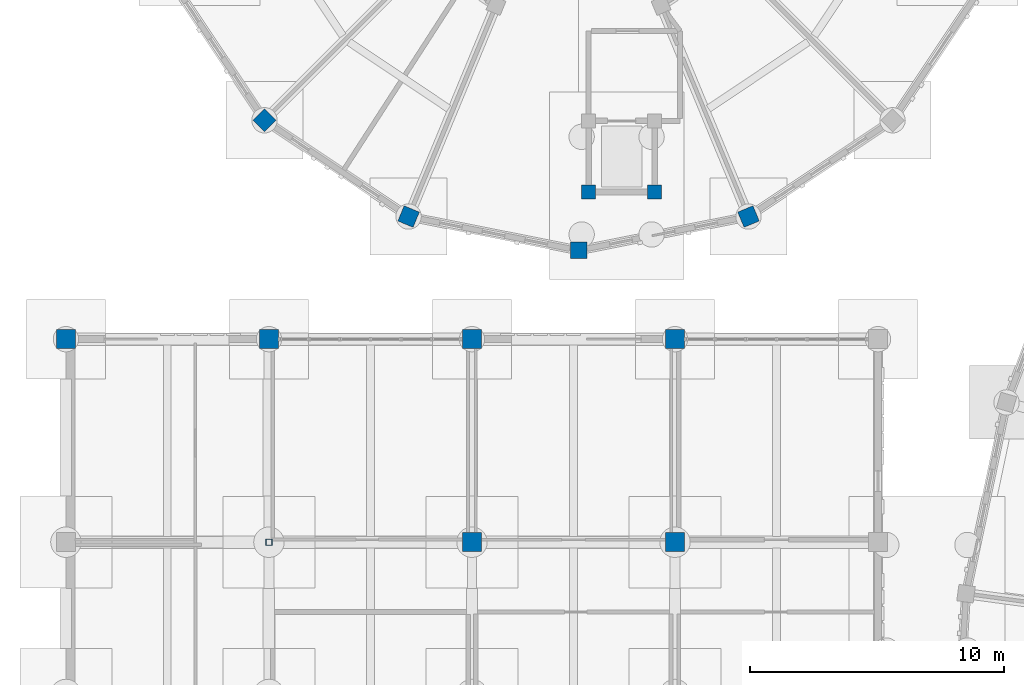
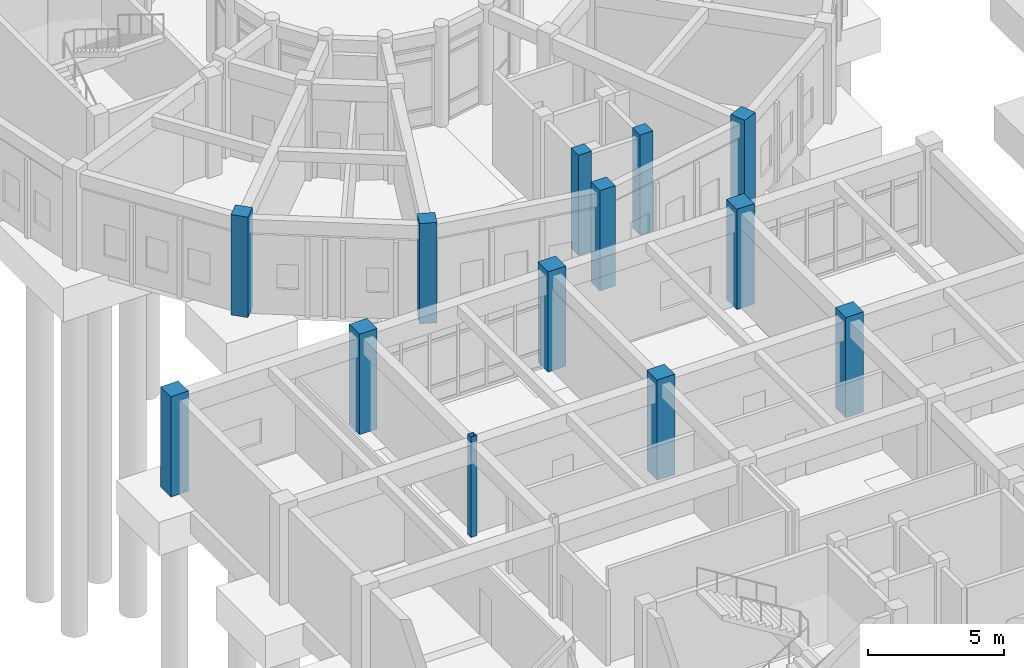
# One storey, part 12 of 153: 13 columns.
"""IFC4 building model written with IfcOpenShell, lengths in metres."""

from ifc_helpers import new_model, si_unit, direction, frame, origin, origin_2d, place, context, subcontext, project, spatial, rectangle, hollow_rectangle, extrude, material, material_profile, profile_set, type_object, element, save


model = new_model("IFC4")

# Units and contexts
model_context = context("Model", 3, precision=1e-05, world=origin(), true_north=direction((0.0, 1.0)))
body_context = subcontext(model_context, "Body", "Model", "MODEL_VIEW")
ifc_project = project(units=[si_unit("LENGTHUNIT", "METRE"), si_unit("AREAUNIT", "SQUARE_METRE"), si_unit("VOLUMEUNIT", "CUBIC_METRE"), si_unit("PLANEANGLEUNIT", "RADIAN"), si_unit("MASSUNIT", "GRAM", prefix="KILO")], contexts=[model_context])

# Site, building, storey
site_placement = place(None, origin())
site = spatial("IfcSite", under=ifc_project, at=site_placement, CompositionType="ELEMENT")
building_placement = place(site_placement, origin())
building = spatial("IfcBuilding", under=site, at=building_placement, Name="Celadon Cloister-Ring School", CompositionType="ELEMENT")
storey_placement = place(building_placement, origin())
storey = spatial("IfcBuildingStorey", under=building, at=storey_placement, Name="L00", CompositionType="ELEMENT", Elevation=0.0)

# Columns
ifc_material_1 = material(Name="Concrete C40/50", Category="concrete")
ifc_material_profile_1 = material_profile(ifc_material_1, rectangle(XDim=0.75, YDim=0.75, at=origin_2d()), Name="RC750X750")
ifc_profile_set_1 = profile_set([ifc_material_profile_1], Name="Concrete C40/50")
column_type_1 = type_object("IfcColumnType", Name="CT-01", PredefinedType="COLUMN", material=ifc_profile_set_1)
for number, where, z_axis, x_axis, name in (
    (1, (0.0, 76.0, 0.0), (0.0, 0.0, 1.0), (1.0, 0.0, 0.0), "Column 1088"),
    (2, (16.0, 68.0, 0.0), (0.0, 0.0, 1.0), (1.0, 0.0, 0.0), "Column 1104"),
    (3, (16.0, 76.0, 0.0), (0.0, 0.0, 1.0), (1.0, 0.0, 0.0), "Column 1110"),
    (4, (24.0, 68.0, 0.0), (0.0, 0.0, 1.0), (1.0, 0.0, 0.0), "Column 1138"),
    (5, (24.0, 76.0, 0.0), (0.0, 0.0, 1.0), (1.0, 0.0, 0.0), "Column 1144"),
    (6, (8.0, 76.0, 0.0), (0.0, 0.0, 1.0), (1.0, 0.0, 0.0), "Column 1195"),
):
    element("IfcColumn", number, at=place(storey_placement, frame(where, z_axis=z_axis, x_axis=x_axis)), inside=storey, type_object=column_type_1, Name=name, PredefinedType="COLUMN", context=body_context, shape_type="SweptSolid", body=[
        extrude(rectangle(XDim=0.75, YDim=0.75, at=origin_2d()), origin(), (0.0, 0.0, 1.0), 4.5),
    ])
ifc_material_2 = material(Name="Concrete C40/50", Category="concrete")
ifc_material_profile_2 = material_profile(ifc_material_2, rectangle(XDim=0.550048828125, YDim=0.550048828125, at=origin_2d()), Name="RC550X550")
ifc_profile_set_2 = profile_set([ifc_material_profile_2], Name="Concrete C40/50")
column_type_2 = type_object("IfcColumnType", Name="CT-05", PredefinedType="COLUMN", material=ifc_profile_set_2)
for number, where, z_axis, x_axis, name in (
    (7, (20.60009765625, 81.800048828125, 0.0), (0.0, 0.0, 1.0), (1.0, 0.0, 0.0), "Column 0276"),
    (8, (23.199951171875, 81.800048828125, 0.0), (0.0, 0.0, 1.0), (1.0, 0.0, 0.0), "Column 0280"),
):
    element("IfcColumn", number, at=place(storey_placement, frame(where, z_axis=z_axis, x_axis=x_axis)), inside=storey, type_object=column_type_2, Name=name, PredefinedType="COLUMN", context=body_context, shape_type="SweptSolid", body=[
        extrude(rectangle(XDim=0.550048828125, YDim=0.550048828125, at=origin_2d()), origin(), (0.0, 0.0, 1.0), 4.5),
    ])
ifc_material_3 = material(Name="Structural steel S355JR", Category="steel")
ifc_material_profile_3 = material_profile(ifc_material_3, hollow_rectangle(XDim=0.25, YDim=0.25, WallThickness=0.010009765625, at=origin_2d()), Name="HSS250X250X10")
ifc_profile_set_3 = profile_set([ifc_material_profile_3], Name="Structural steel S355JR")
column_type_3 = type_object("IfcColumnType", Name="CT-08", PredefinedType="COLUMN", material=ifc_profile_set_3)
column_placement = place(storey_placement, frame((8.0, 68.0, 0.0), z_axis=(0.0, 0.0, 1.0), x_axis=(1.0, 0.0, 0.0)))
element("IfcColumn", 9, at=column_placement, inside=storey, type_object=column_type_3, Name="Column 1189", PredefinedType="COLUMN", context=body_context, shape_type="SweptSolid", body=[
    extrude(hollow_rectangle(XDim=0.25, YDim=0.25, WallThickness=0.010009765625, at=origin_2d()), origin(), (0.0, 0.0, 1.0), 4.5),
])
ifc_material_4 = material(Name="Concrete C40/50", Category="concrete")
ifc_material_profile_4 = material_profile(ifc_material_4, rectangle(XDim=0.64990234375, YDim=0.64990234375, at=origin_2d()), Name="RC650X650")
ifc_profile_set_4 = profile_set([ifc_material_profile_4], Name="Concrete C40/50")
column_type_4 = type_object("IfcColumnType", Name="CT-22", PredefinedType="COLUMN", material=ifc_profile_set_4)
for number, where, z_axis, x_axis, name in (
    (10, (7.825927734375, 84.6259765625, 0.0), (0.0, 0.0, 1.0), (-0.707106781187, -0.707106781187, 0.0), "Column 0883"),
    (11, (13.5029296875, 80.83203125, 0.0), (0.0, 0.0, 1.0), (-0.382683432365, -0.923879532511, 0.0), "Column 0887"),
    (12, (20.199951171875, 79.5, 0.0), (0.0, 0.0, 1.0), (0.0, -1.0, 0.0), "Column 0891"),
    (13, (26.89697265625, 80.83203125, 0.0), (0.0, 0.0, 1.0), (0.382683432365, -0.923879532511, 0.0), "Column 0895"),
):
    element("IfcColumn", number, at=place(storey_placement, frame(where, z_axis=z_axis, x_axis=x_axis)), inside=storey, type_object=column_type_4, Name=name, PredefinedType="COLUMN", context=body_context, shape_type="SweptSolid", body=[
        extrude(rectangle(XDim=0.64990234375, YDim=0.64990234375, at=origin_2d()), origin(), (0.0, 0.0, 1.0), 4.5),
    ])

save(model, "model.ifc")
